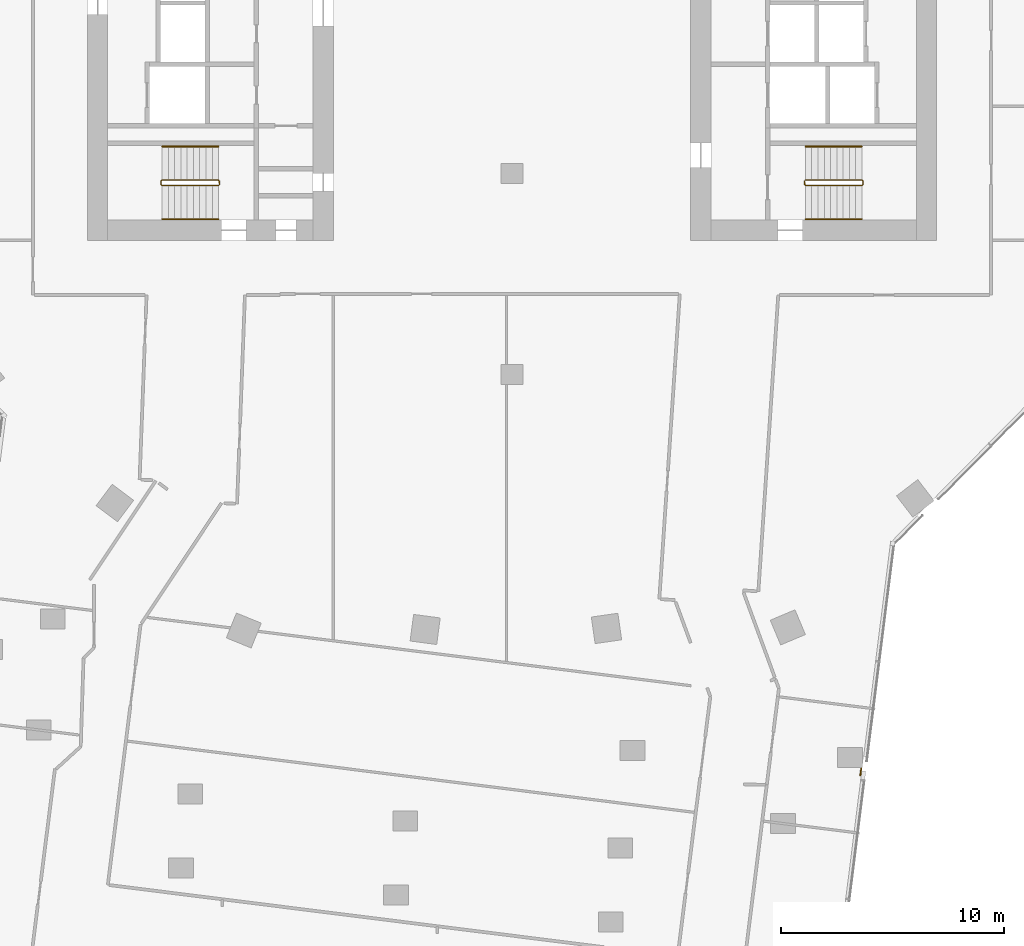
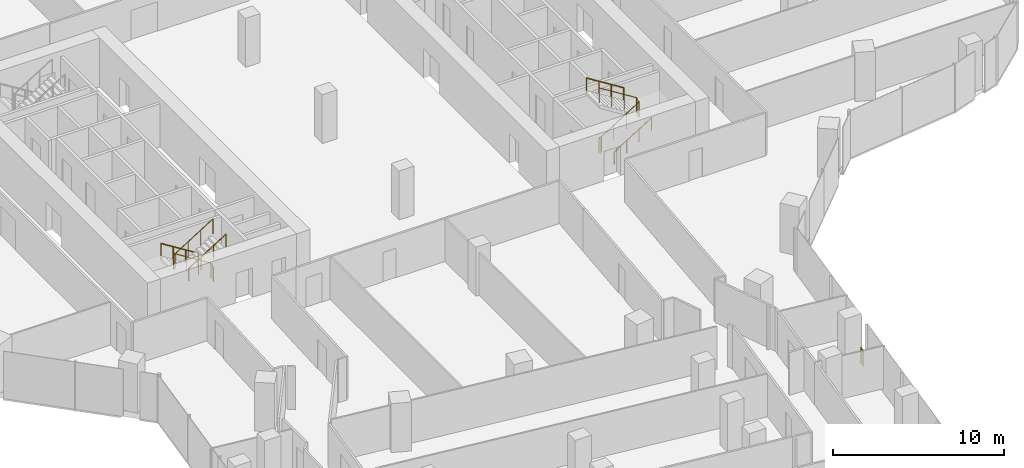
# One storey, part 25 of 27: 7 railings.
"""IFC4 building model written with IfcOpenShell, lengths in metres."""

from ifc_helpers import new_model, si_unit, direction, frame, origin, origin_2d, place, context, subcontext, project, spatial, circle, extrude, material, type_object, element, save


model = new_model("IFC4")

# Units and contexts
model_context = context("Model", 3, precision=1e-05, world=origin(), true_north=direction((0.0, 1.0)))
body_context = subcontext(model_context, "Body", "Model", "MODEL_VIEW")
ifc_project = project(units=[si_unit("LENGTHUNIT", "METRE"), si_unit("AREAUNIT", "SQUARE_METRE"), si_unit("VOLUMEUNIT", "CUBIC_METRE"), si_unit("PLANEANGLEUNIT", "RADIAN"), si_unit("MASSUNIT", "GRAM", prefix="KILO")], contexts=[model_context])

# Site, building, storey
site_placement = place(None, origin())
site = spatial("IfcSite", under=ifc_project, at=site_placement, CompositionType="ELEMENT")
building_placement = place(site_placement, origin())
building = spatial("IfcBuilding", under=site, at=building_placement, Name="Orlundy Tower", CompositionType="ELEMENT")
storey_placement = place(building_placement, frame((0.0, 0.0, 195.60009765625)))
storey = spatial("IfcBuildingStorey", under=building, at=storey_placement, Name="L51", CompositionType="ELEMENT", Elevation=195.60009765625)

# Railings
ifc_material_1 = material(Name="Steel balustrade", Category="steel")
railing_type_1 = type_object("IfcRailingType", Name="Stair Guard 1100", PredefinedType="GUARDRAIL", material=ifc_material_1)
railing_1_placement = place(storey_placement, frame((-13.090087890625, -9.35009765625, 0.0)))
element("IfcRailing", 1, at=railing_1_placement, inside=storey, type_object=railing_type_1, Name="L51 ST-W2 stair guard 1", PredefinedType="GUARDRAIL", context=body_context, shape_type="SweptSolid", body=[
    extrude(circle(Radius=0.02392578125, at=origin_2d()), frame((0.0, 0.0, 1.076171875), z_axis=(0.0, -1.0, 0.0), x_axis=(1.0, 0.0, 0.0)), (0.0, 0.0, 1.0), 0.14990234375),
    extrude(circle(Radius=0.02392578125, at=origin_2d()), frame((0.0, -0.14990234375, 1.076171875), z_axis=(-0.184313129624, 0.739963005698, 0.646902945152), x_axis=(-0.970351222016, -0.241699205484, 0.0)), (0.0, 0.0, 1.0), 0.270263671875),
    extrude(circle(Radius=0.02392578125, at=origin_2d()), frame((-0.0498046875, 0.050048828125, 1.2509765625), z_axis=(-0.847970611238, 0.0, 0.530043245855), x_axis=(0.0, -1.0, 0.0)), (0.0, 0.0, 1.0), 2.971923828125),
    extrude(circle(Radius=0.02392578125, at=origin_2d()), frame((-2.56982421875, 0.050048828125, 2.826171875), z_axis=(-0.707106781187, -0.707106781187, 0.0), x_axis=(0.707106781187, -0.707106781187, 0.0)), (0.0, 0.0, 1.0), 0.07080078125),
    extrude(circle(Radius=0.02392578125, at=origin_2d()), frame((-2.619873046875, 0.0, 2.826171875), z_axis=(0.0, -1.0, 0.0), x_axis=(1.0, 0.0, 0.0)), (0.0, 0.0, 1.0), 0.14990234375),
    extrude(circle(Radius=0.02392578125, at=origin_2d()), frame((-2.619873046875, -0.14990234375, 2.826171875), z_axis=(0.265383341853, -0.265383341853, 0.926899867156), x_axis=(0.707106781187, 0.707106781187, 0.0)), (0.0, 0.0, 1.0), 0.1884765625),
    extrude(circle(Radius=0.02392578125, at=origin_2d()), frame((-2.56982421875, -0.199951171875, 3.0009765625), z_axis=(0.847970611238, 0.0, 0.530043245855), x_axis=(0.0, 1.0, 0.0)), (0.0, 0.0, 1.0), 2.971923828125),
    extrude(circle(Radius=0.02099609375, at=origin_2d()), origin(), (0.0, 0.0, 1.0), 1.052001953125),
    extrude(circle(Radius=0.02099609375, at=origin_2d()), frame((0.0, -0.14990234375, 0.0)), (0.0, 0.0, 1.0), 1.052001953125),
    extrude(circle(Radius=0.02099609375, at=origin_2d()), frame((-0.0498046875, 0.050048828125, 0.1748046875)), (0.0, 0.0, 1.0), 1.052001953125),
    extrude(circle(Radius=0.02099609375, at=origin_2d()), frame((-0.889892578125, 0.050048828125, 0.699951171875)), (0.0, 0.0, 1.0), 1.052001953125),
    extrude(circle(Radius=0.02099609375, at=origin_2d()), frame((-1.729736328125, 0.050048828125, 1.224853515625)), (0.0, 0.0, 1.0), 1.052001953125),
    extrude(circle(Radius=0.02099609375, at=origin_2d()), frame((-2.56982421875, 0.050048828125, 1.75)), (0.0, 0.0, 1.0), 1.052001953125),
    extrude(circle(Radius=0.02099609375, at=origin_2d()), frame((-2.619873046875, 0.0, 1.75)), (0.0, 0.0, 1.0), 1.052001953125),
    extrude(circle(Radius=0.02099609375, at=origin_2d()), frame((-2.619873046875, -0.14990234375, 1.75)), (0.0, 0.0, 1.0), 1.052001953125),
    extrude(circle(Radius=0.02099609375, at=origin_2d()), frame((-2.56982421875, -0.199951171875, 1.9248046875)), (0.0, 0.0, 1.0), 1.052001953125),
    extrude(circle(Radius=0.02099609375, at=origin_2d()), frame((-1.729736328125, -0.199951171875, 2.449951171875)), (0.0, 0.0, 1.0), 1.052001953125),
    extrude(circle(Radius=0.02099609375, at=origin_2d()), frame((-0.889892578125, -0.199951171875, 2.974853515625)), (0.0, 0.0, 1.0), 1.052001953125),
    extrude(circle(Radius=0.02099609375, at=origin_2d()), frame((-0.0498046875, -0.199951171875, 3.5)), (0.0, 0.0, 1.0), 1.052001953125),
])
railing_2_placement = place(storey_placement, frame((13.090087890625, -9.5, 0.0)))
element("IfcRailing", 2, at=railing_2_placement, inside=storey, type_object=railing_type_1, Name="L51 ST-E1 stair guard 1", PredefinedType="GUARDRAIL", context=body_context, shape_type="SweptSolid", body=[
    extrude(circle(Radius=0.02392578125, at=origin_2d()), frame((0.0, 0.0, 1.076171875), z_axis=(0.0, 1.0, 0.0), x_axis=(-1.0, 0.0, 0.0)), (0.0, 0.0, 1.0), 0.14990234375),
    extrude(circle(Radius=0.02392578125, at=origin_2d()), frame((0.0, 0.14990234375, 1.076171875), z_axis=(0.184313129624, -0.739963005698, 0.646902945152), x_axis=(0.970351222016, 0.241699205484, 0.0)), (0.0, 0.0, 1.0), 0.270263671875),
    extrude(circle(Radius=0.02392578125, at=origin_2d()), frame((0.0498046875, -0.050048828125, 1.2509765625), z_axis=(0.847970611238, 0.0, 0.530043245855), x_axis=(0.0, 1.0, 0.0)), (0.0, 0.0, 1.0), 2.971923828125),
    extrude(circle(Radius=0.02392578125, at=origin_2d()), frame((2.56982421875, -0.050048828125, 2.826171875), z_axis=(0.707106781187, 0.707106781187, 0.0), x_axis=(-0.707106781187, 0.707106781187, 0.0)), (0.0, 0.0, 1.0), 0.07080078125),
    extrude(circle(Radius=0.02392578125, at=origin_2d()), frame((2.619873046875, 0.0, 2.826171875), z_axis=(0.0, 1.0, 0.0), x_axis=(-1.0, 0.0, 0.0)), (0.0, 0.0, 1.0), 0.14990234375),
    extrude(circle(Radius=0.02392578125, at=origin_2d()), frame((2.619873046875, 0.14990234375, 2.826171875), z_axis=(-0.265383341853, 0.265383341853, 0.926899867156), x_axis=(-0.707106781187, -0.707106781187, 0.0)), (0.0, 0.0, 1.0), 0.1884765625),
    extrude(circle(Radius=0.02392578125, at=origin_2d()), frame((2.56982421875, 0.199951171875, 3.0009765625), z_axis=(-0.847970611238, 0.0, 0.530043245855), x_axis=(0.0, -1.0, 0.0)), (0.0, 0.0, 1.0), 2.971923828125),
    extrude(circle(Radius=0.02099609375, at=origin_2d()), origin(), (0.0, 0.0, 1.0), 1.052001953125),
    extrude(circle(Radius=0.02099609375, at=origin_2d()), frame((0.0, 0.14990234375, 0.0)), (0.0, 0.0, 1.0), 1.052001953125),
    extrude(circle(Radius=0.02099609375, at=origin_2d()), frame((0.0498046875, -0.050048828125, 0.1748046875)), (0.0, 0.0, 1.0), 1.052001953125),
    extrude(circle(Radius=0.02099609375, at=origin_2d()), frame((0.889892578125, -0.050048828125, 0.699951171875)), (0.0, 0.0, 1.0), 1.052001953125),
    extrude(circle(Radius=0.02099609375, at=origin_2d()), frame((1.729736328125, -0.050048828125, 1.224853515625)), (0.0, 0.0, 1.0), 1.052001953125),
    extrude(circle(Radius=0.02099609375, at=origin_2d()), frame((2.56982421875, -0.050048828125, 1.75)), (0.0, 0.0, 1.0), 1.052001953125),
    extrude(circle(Radius=0.02099609375, at=origin_2d()), frame((2.619873046875, 0.0, 1.75)), (0.0, 0.0, 1.0), 1.052001953125),
    extrude(circle(Radius=0.02099609375, at=origin_2d()), frame((2.619873046875, 0.14990234375, 1.75)), (0.0, 0.0, 1.0), 1.052001953125),
    extrude(circle(Radius=0.02099609375, at=origin_2d()), frame((2.56982421875, 0.199951171875, 1.9248046875)), (0.0, 0.0, 1.0), 1.052001953125),
    extrude(circle(Radius=0.02099609375, at=origin_2d()), frame((1.729736328125, 0.199951171875, 2.449951171875)), (0.0, 0.0, 1.0), 1.052001953125),
    extrude(circle(Radius=0.02099609375, at=origin_2d()), frame((0.889892578125, 0.199951171875, 2.974853515625)), (0.0, 0.0, 1.0), 1.052001953125),
    extrude(circle(Radius=0.02099609375, at=origin_2d()), frame((0.0498046875, 0.199951171875, 3.5)), (0.0, 0.0, 1.0), 1.052001953125),
])
ifc_material_2 = material(Name="Steel handrail", Category="steel")
railing_type_2 = type_object("IfcRailingType", Name="Stair Handrail 900", PredefinedType="HANDRAIL", material=ifc_material_2)
railing_3_placement = place(storey_placement, frame((-13.139892578125, -7.800048828125, 0.1748046875)))
element("IfcRailing", 3, at=railing_3_placement, inside=storey, type_object=railing_type_2, Name="L51 ST-W2 stair handrail 1", PredefinedType="HANDRAIL", context=body_context, shape_type="SweptSolid", body=[
    extrude(circle(Radius=0.02392578125, at=origin_2d()), frame((0.0, 0.0, 0.8759765625), z_axis=(-0.847970611238, 0.0, 0.530043245855), x_axis=(0.0, -1.0, 0.0)), (0.0, 0.0, 1.0), 2.971923828125),
    extrude(circle(Radius=0.02099609375, at=origin_2d()), origin(), (0.0, 0.0, 1.0), 0.851806640625),
    extrude(circle(Radius=0.02099609375, at=origin_2d()), frame((-0.840087890625, 0.0, 0.525146484375)), (0.0, 0.0, 1.0), 0.851806640625),
    extrude(circle(Radius=0.02099609375, at=origin_2d()), frame((-1.679931640625, 0.0, 1.050048828125)), (0.0, 0.0, 1.0), 0.851806640625),
    extrude(circle(Radius=0.02099609375, at=origin_2d()), frame((-2.52001953125, 0.0, 1.5751953125)), (0.0, 0.0, 1.0), 0.851806640625),
])
for number, where, name in (
    (4, (-15.659912109375, -11.050048828125, 1.9248046875), "L51 ST-W2 stair handrail 2"),
    (5, (13.139892578125, -11.050048828125, 0.1748046875), "L51 ST-E1 stair handrail 1"),
):
    element("IfcRailing", number, at=place(storey_placement, frame(where)), inside=storey, type_object=railing_type_2, Name=name, PredefinedType="HANDRAIL", context=body_context, shape_type="SweptSolid", body=[
        extrude(circle(Radius=0.02392578125, at=origin_2d()), frame((0.0, 0.0, 0.8759765625), z_axis=(0.847970611238, 0.0, 0.530043245855), x_axis=(0.0, 1.0, 0.0)), (0.0, 0.0, 1.0), 2.971923828125),
        extrude(circle(Radius=0.02099609375, at=origin_2d()), origin(), (0.0, 0.0, 1.0), 0.851806640625),
        extrude(circle(Radius=0.02099609375, at=origin_2d()), frame((0.840087890625, 0.0, 0.525146484375)), (0.0, 0.0, 1.0), 0.851806640625),
        extrude(circle(Radius=0.02099609375, at=origin_2d()), frame((1.679931640625, 0.0, 1.050048828125)), (0.0, 0.0, 1.0), 0.851806640625),
        extrude(circle(Radius=0.02099609375, at=origin_2d()), frame((2.52001953125, 0.0, 1.5751953125)), (0.0, 0.0, 1.0), 0.851806640625),
    ])
railing_4_placement = place(storey_placement, frame((15.659912109375, -7.800048828125, 1.9248046875)))
element("IfcRailing", 6, at=railing_4_placement, inside=storey, type_object=railing_type_2, Name="L51 ST-E1 stair handrail 2", PredefinedType="HANDRAIL", context=body_context, shape_type="SweptSolid", body=[
    extrude(circle(Radius=0.02392578125, at=origin_2d()), frame((0.0, 0.0, 0.8759765625), z_axis=(-0.847970611238, 0.0, 0.530043245855), x_axis=(0.0, -1.0, 0.0)), (0.0, 0.0, 1.0), 2.971923828125),
    extrude(circle(Radius=0.02099609375, at=origin_2d()), origin(), (0.0, 0.0, 1.0), 0.851806640625),
    extrude(circle(Radius=0.02099609375, at=origin_2d()), frame((-0.840087890625, 0.0, 0.525146484375)), (0.0, 0.0, 1.0), 0.851806640625),
    extrude(circle(Radius=0.02099609375, at=origin_2d()), frame((-1.679931640625, 0.0, 1.050048828125)), (0.0, 0.0, 1.0), 0.851806640625),
    extrude(circle(Radius=0.02099609375, at=origin_2d()), frame((-2.52001953125, 0.0, 1.5751953125)), (0.0, 0.0, 1.0), 0.851806640625),
])
ifc_material_3 = material(Name="Stainless steel bronze finish", Category="steel")
railing_type_3 = type_object("IfcRailingType", Name="TG1 terrace guard", PredefinedType="GUARDRAIL", material=ifc_material_3)
railing_5_placement = place(storey_placement, frame((15.635498046875, -35.64208984375, 0.0)))
element("IfcRailing", 7, at=railing_5_placement, inside=storey, type_object=railing_type_3, Name="Guard TG-L51-E00", PredefinedType="GUARDRAIL", context=body_context, shape_type="SweptSolid", body=[
    extrude(circle(Radius=0.02490234375, at=origin_2d()), frame((0.0, 0.0, 1.09521484375), z_axis=(-0.124888627995, -0.992170766853, 0.0), x_axis=(0.992170766853, -0.124888627995, 0.0)), (0.0, 0.0, 1.0), 0.316650390625),
    extrude(circle(Radius=0.02001953125, at=origin_2d()), origin(), (0.0, 0.0, 1.0), 1.070068359375),
    extrude(circle(Radius=0.02001953125, at=origin_2d()), frame((-0.03955078125, -0.314208984375, 0.0)), (0.0, 0.0, 1.0), 1.070068359375),
])

save(model, "model.ifc")
